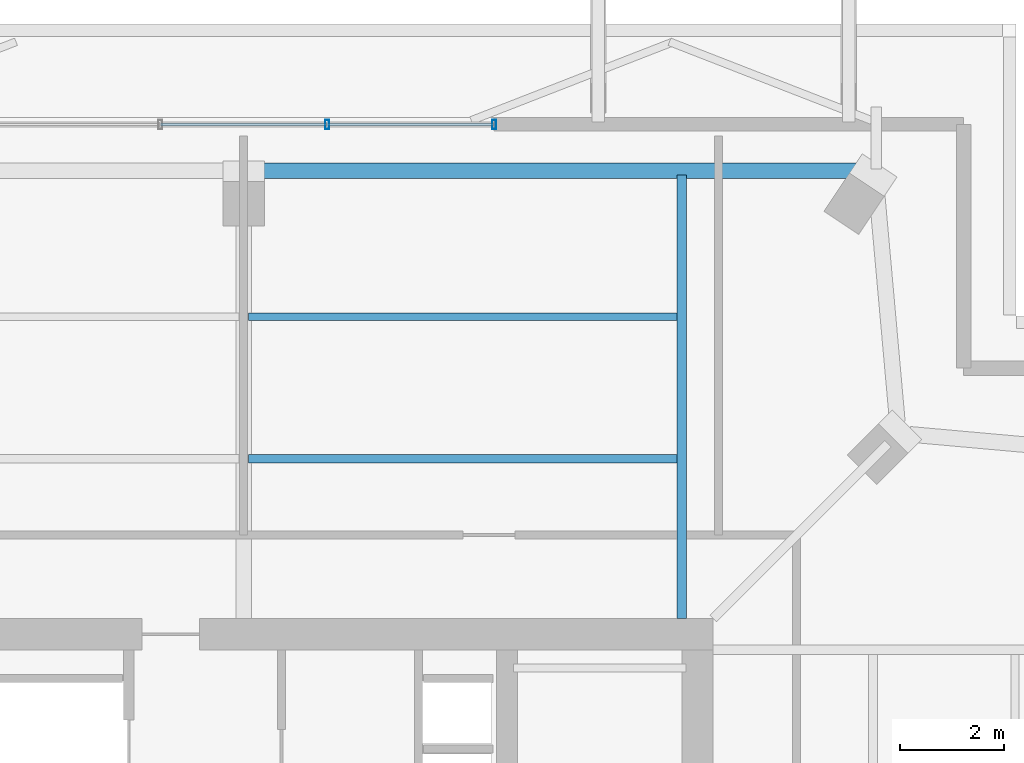
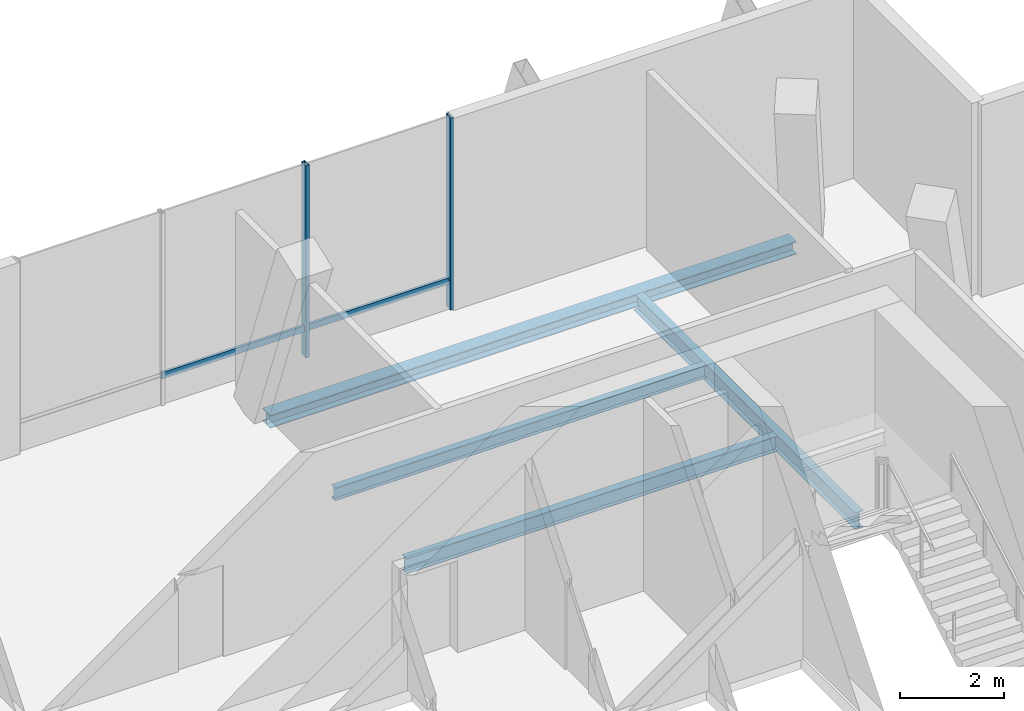
# One storey, part 14 of 18: 4 beams, 4 members, 1 element without a shape of its own.
"""IFC4 building model written with IfcOpenShell, lengths in metres."""

import ifcopenshell
import ifcopenshell.guid

model = None  # the IFC model being written
_history = None  # IfcOwnerHistory: only IFC2X3 demands one
_inside = {}  # id of a spatial element -> (the spatial element, [elements in it])
_under = {}  # id of a project, library or spatial element -> (it, [spatial elements below it])
_declared = {}  # id of a project -> (the project, [libraries it declares])
_typed = {}  # id of a type object -> (the type object, [elements of that type])
_made_of = {}  # id of a material, layer set ... -> (it, [elements and type objects made of it])


def new_model(schema):
    """Start an empty IFC model of exactly this schema.

    Asked for "IFC4X3", IfcOpenShell would pick the latest addendum, in which some entities
    have other attributes; the version numbers below select the first issue.
    IFC2X3 requires an IfcOwnerHistory on every rooted entity: one is made here for all.
    """
    global model, _history
    if schema == "IFC4X3":
        model = ifcopenshell.file(schema_version=(4, 3, 0, 0))
    else:
        model = ifcopenshell.file(schema=schema)
    _inside.clear()
    _under.clear()
    _declared.clear()
    _typed.clear()
    _made_of.clear()
    _history = None
    if model.schema == "IFC2X3":
        org = make("IfcOrganization", Name="unknown")
        user = make(
            "IfcPersonAndOrganization",
            ThePerson=make("IfcPerson", FamilyName="unknown"),
            TheOrganization=org,
        )
        app = make(
            "IfcApplication",
            ApplicationDeveloper=org,
            Version="unknown",
            ApplicationFullName="unknown",
            ApplicationIdentifier="unknown",
        )
        _history = make(
            "IfcOwnerHistory",
            OwningUser=user,
            OwningApplication=app,
            ChangeAction="ADDED",
            CreationDate=0,
        )
    return model


def make(cls, **values):
    """One entity of the class cls with the attributes given. An attribute that is None is left unset."""
    return model.create_entity(
        cls, **{name: value for name, value in values.items() if value is not None}
    )


def rooted(cls, **values):
    """An entity with a GlobalId (a new one), such as an element, a storey or a relation."""
    return make(cls, GlobalId=ifcopenshell.guid.new(), OwnerHistory=_history, **values)


def si_unit(unit_type, name, prefix=None):
    """IfcSIUnit, for example si_unit("LENGTHUNIT", "METRE", prefix="MILLI")."""
    return make("IfcSIUnit", UnitType=unit_type, Prefix=prefix, Name=name)


def assignment(units):
    """IfcUnitAssignment: the units of a project."""
    return None if units is None else make("IfcUnitAssignment", Units=units)


def point(xyz):
    """IfcCartesianPoint."""
    return None if xyz is None else make("IfcCartesianPoint", Coordinates=xyz)


def direction(xyz):
    """IfcDirection."""
    return None if xyz is None else make("IfcDirection", DirectionRatios=xyz)


def frame(location, z_axis=None, x_axis=None):
    """IfcAxis2Placement3D, a coordinate frame: its origin and axes. An axis left out is left unset."""
    return make(
        "IfcAxis2Placement3D",
        Location=point(location),
        Axis=direction(z_axis),
        RefDirection=direction(x_axis),
    )


def frame_2d(location, x_axis=None):
    """IfcAxis2Placement2D, a coordinate frame in the plane: its origin and x axis."""
    return make(
        "IfcAxis2Placement2D", Location=point(location), RefDirection=direction(x_axis)
    )


def origin():
    """The frame at (0, 0, 0) with its axes left unset."""
    return frame((0.0, 0.0, 0.0))


def origin_2d():
    """The frame at (0, 0) in the plane with its x axis left unset."""
    return frame_2d((0.0, 0.0))


def place(relative_to, where):
    """IfcLocalPlacement: puts the frame where relative to a parent placement (None: the world)."""
    return make(
        "IfcLocalPlacement", PlacementRelTo=relative_to, RelativePlacement=where
    )


def context(
    kind, dimensions, precision=None, world=None, true_north=None, identifier=None
):
    """IfcGeometricRepresentationContext, for example the 3D "Model" context."""
    return make(
        "IfcGeometricRepresentationContext",
        ContextIdentifier=identifier,
        ContextType=kind,
        CoordinateSpaceDimension=dimensions,
        Precision=precision,
        WorldCoordinateSystem=world,
        TrueNorth=true_north,
    )


def subcontext(parent, identifier, kind, view, scale=None):
    """IfcGeometricRepresentationSubContext, for example "Body" below "Model"."""
    return make(
        "IfcGeometricRepresentationSubContext",
        ContextIdentifier=identifier,
        ContextType=kind,
        ParentContext=parent,
        TargetScale=scale,
        TargetView=view,
    )


def project(units=None, contexts=None):
    """IfcProject with its units and contexts."""
    return rooted(
        "IfcProject",
        Name="project",
        RepresentationContexts=contexts,
        UnitsInContext=assignment(units),
    )


def spatial(cls, under=None, at=None, **own):
    """A site, building, storey or space (cls), placed at a placement, below another one or the project."""
    s = rooted(cls, ObjectPlacement=at, **own)
    if under is not None:
        _under.setdefault(under.id(), (under, []))[1].append(s)
    return s


def profile(cls, at=None, kind="AREA", **sizes):
    """A parametric profile (cls). Its sizes go by their IFC names, for example OverallWidth=200.0."""
    return make(cls, ProfileType=kind, Position=at, **sizes)


def hollow_rectangle(**sizes):
    """IfcRectangleHollowProfileDef."""
    return profile("IfcRectangleHollowProfileDef", **sizes)


def i_section(**sizes):
    """IfcIShapeProfileDef."""
    return profile("IfcIShapeProfileDef", **sizes)


def extrude(swept, where, along, depth):
    """IfcExtrudedAreaSolid: the profile swept, set in the frame where, extruded along a direction by depth."""
    return make(
        "IfcExtrudedAreaSolid",
        SweptArea=swept,
        Position=where,
        ExtrudedDirection=direction(along),
        Depth=depth,
    )


def shape(context_of_items, identifier, shape_type, items):
    """IfcShapeRepresentation: the items that make up one representation, for example the "Body"."""
    return make(
        "IfcShapeRepresentation",
        ContextOfItems=context_of_items,
        RepresentationIdentifier=identifier,
        RepresentationType=shape_type,
        Items=items,
    )


def material(Name=None, Category=None):
    """IfcMaterial."""
    return make("IfcMaterial", Name=Name, Category=Category)


def layer(
    of_material, thickness, ventilated=None, Name=None, Category=None, Priority=None
):
    """IfcMaterialLayer: one layer of a wall or slab, of a material (None: an air gap)."""
    return make(
        "IfcMaterialLayer",
        Material=of_material,
        LayerThickness=thickness,
        IsVentilated=ventilated,
        Name=Name,
        Category=Category,
        Priority=Priority,
    )


def layer_set(layers, Name=None):
    """IfcMaterialLayerSet."""
    return make("IfcMaterialLayerSet", MaterialLayers=layers, LayerSetName=Name)


def material_profile(
    of_material, cross_section, Name=None, Category=None, Priority=None
):
    """IfcMaterialProfile: a cross section and its material."""
    return make(
        "IfcMaterialProfile",
        Name=Name,
        Material=of_material,
        Profile=cross_section,
        Priority=Priority,
        Category=Category,
    )


def profile_set(profiles, Name=None, composite=None):
    """IfcMaterialProfileSet."""
    return make(
        "IfcMaterialProfileSet",
        Name=Name,
        MaterialProfiles=profiles,
        CompositeProfile=composite,
    )


def made_of(thing, what):
    """Note that an element or type object is made of a material, layer set ...; save() writes the relation."""
    if what is not None:
        _made_of.setdefault(what.id(), (what, []))[1].append(thing)
    return thing


def type_object(cls, material=None, **own):
    """A type object (cls), such as IfcWallType, which elements share."""
    return made_of(rooted(cls, **own), material)


def element(
    cls,
    number,
    at=None,
    inside=None,
    cuts=None,
    type_object=None,
    material=None,
    context=None,
    identifier="Body",
    shape_type=None,
    held_by="IfcProductDefinitionShape",
    body=None,
    shapes=None,
    **own,
):
    """One element of the class cls, such as IfcWall. Its Tag is "e" and its number.

    at: its placement. inside: the storey or other place that contains it. cuts: it is an
    opening in that element (IfcRelVoidsElement). A single representation is given by context,
    identifier, shape_type and body (its items); several are given by shapes. held_by: the class
    of the entity that holds the representations. save() writes the other relations.
    """
    e = rooted(cls, Tag="e%d" % number, ObjectPlacement=at, **own)
    if body is not None:
        shapes = [shape(context, identifier, shape_type, body)]
    if shapes is not None:
        e.Representation = make(held_by, Representations=shapes)
    if inside is not None:
        _inside.setdefault(inside.id(), (inside, []))[1].append(e)
    if cuts is not None:
        rooted(
            "IfcRelVoidsElement", RelatingBuildingElement=cuts, RelatedOpeningElement=e
        )
    if type_object is not None:
        _typed.setdefault(type_object.id(), (type_object, []))[1].append(e)
    return made_of(e, material)


def aggregate(whole, parts):
    """IfcRelAggregates: a whole, such as a stair, and the parts it consists of."""
    return rooted("IfcRelAggregates", RelatingObject=whole, RelatedObjects=parts)


def save(model, path):
    """Write the relations noted so far, then the file.

    IfcRelAggregates (storeys below a building ...), IfcRelContainedInSpatialStructure (elements
    in a storey), IfcRelDefinesByType, IfcRelAssociatesMaterial and IfcRelDeclares: one each for
    every whole, place, type object, material and project.
    """
    for whole, parts in _under.values():
        aggregate(whole, parts)
    for where, things in _inside.values():
        rooted(
            "IfcRelContainedInSpatialStructure",
            RelatedElements=things,
            RelatingStructure=where,
        )
    for kind, things in _typed.values():
        rooted("IfcRelDefinesByType", RelatedObjects=things, RelatingType=kind)
    for what, things in _made_of.values():
        rooted("IfcRelAssociatesMaterial", RelatedObjects=things, RelatingMaterial=what)
    for by, libraries in _declared.values():
        rooted("IfcRelDeclares", RelatingContext=by, RelatedDefinitions=libraries)
    model.write(path)


model = new_model("IFC4")

# Units and contexts
model_context = context("Model", 3, precision=1e-05, world=origin(), true_north=direction((0.0, 1.0)))
body_context = subcontext(model_context, "Body", "Model", "MODEL_VIEW")
ifc_project = project(units=[si_unit("LENGTHUNIT", "METRE"), si_unit("AREAUNIT", "SQUARE_METRE"), si_unit("VOLUMEUNIT", "CUBIC_METRE"), si_unit("PLANEANGLEUNIT", "RADIAN"), si_unit("MASSUNIT", "GRAM", prefix="KILO")], contexts=[model_context])

# Site, building, storey
site_placement = place(None, origin())
site = spatial("IfcSite", under=ifc_project, at=site_placement, CompositionType="ELEMENT")
building_placement = place(site_placement, origin())
building = spatial("IfcBuilding", under=site, at=building_placement, Name="Belovzor Exchange Tower", CompositionType="ELEMENT")
storey_placement = place(building_placement, frame((0.0, 0.0, 369.0)))
storey = spatial("IfcBuildingStorey", under=building, at=storey_placement, Name="L92", CompositionType="ELEMENT", Elevation=369.0)

# Beams
ifc_material_1 = material(Name="Steel S355", Category="steel")
ifc_material_profile_1 = material_profile(ifc_material_1, i_section(OverallWidth=0.300048828125, OverallDepth=0.300048828125, WebThickness=0.010986328125, FlangeThickness=0.01904296875, at=origin_2d()))
ifc_profile_set_1 = profile_set([ifc_material_profile_1], Name="Steel S355")
beam_type_1 = type_object("IfcBeamType", Name="Crown Plant Primary Beam HEB 300", PredefinedType="BEAM", material=ifc_profile_set_1)
beam_1_placement = place(storey_placement, frame((40.679931640625, 46.3798828125, -0.449951171875), z_axis=(-1.0, 0.0, 0.0), x_axis=(0.0, -1.0, 0.0)))
element("IfcBeam", 1, at=beam_1_placement, inside=storey, type_object=beam_type_1, Name="FG-CR Crown Plant Primary Beam HEB 300", PredefinedType="BEAM", context=body_context, shape_type="SweptSolid", body=[
    extrude(i_section(OverallWidth=0.300048828125, OverallDepth=0.300048828125, WebThickness=0.010986328125, FlangeThickness=0.01904296875, at=origin_2d()), origin(), (0.0, 0.0, 1.0), 11.659912109375),
])
ifc_material_2 = material(Name="Steel S355", Category="steel")
ifc_material_profile_2 = material_profile(ifc_material_2, i_section(OverallWidth=0.169921875, OverallDepth=0.360107421875, WebThickness=0.008056640625, FlangeThickness=0.0126953125, at=origin_2d()))
ifc_profile_set_2 = profile_set([ifc_material_profile_2], Name="Steel S355")
beam_type_2 = type_object("IfcBeamType", Name="Secondary Infill Floor Joist IPE 360", PredefinedType="BEAM", material=ifc_profile_set_2)
beam_2_placement = place(storey_placement, frame((28.889892578125, 40.862060546875, -0.47998046875), z_axis=(1.0, 0.0, 0.0), x_axis=(0.0, 1.0, 0.0)))
element("IfcBeam", 2, at=beam_2_placement, inside=storey, type_object=beam_type_2, Name="FJ-360 Secondary Infill Floor Joist IPE 360", PredefinedType="BEAM", context=body_context, shape_type="SweptSolid", body=[
    extrude(i_section(OverallWidth=0.169921875, OverallDepth=0.360107421875, WebThickness=0.008056640625, FlangeThickness=0.0126953125, at=origin_2d()), origin(), (0.0, 0.0, 1.0), 8.22021484375),
])
ifc_material_3 = material(Name="Steel S355", Category="steel")
ifc_material_profile_3 = material_profile(ifc_material_3, i_section(OverallWidth=0.14990234375, OverallDepth=0.300048828125, WebThickness=0.007080078125, FlangeThickness=0.0107421875, at=origin_2d()))
ifc_profile_set_3 = profile_set([ifc_material_profile_3], Name="Steel S355")
beam_type_3 = type_object("IfcBeamType", Name="Secondary Trim Floor Joist IPE 300", PredefinedType="BEAM", material=ifc_profile_set_3)
beam_3_placement = place(storey_placement, frame((28.889892578125, 43.5830078125, -0.449951171875), z_axis=(1.0, 0.0, 0.0), x_axis=(0.0, 1.0, 0.0)))
element("IfcBeam", 3, at=beam_3_placement, inside=storey, type_object=beam_type_3, Name="FJ-300 Secondary Trim Floor Joist IPE 300", PredefinedType="BEAM", context=body_context, shape_type="SweptSolid", body=[
    extrude(i_section(OverallWidth=0.14990234375, OverallDepth=0.300048828125, WebThickness=0.007080078125, FlangeThickness=0.0107421875, at=origin_2d()), origin(), (0.0, 0.0, 1.0), 8.22021484375),
])

# Curtain wall, members
ifc_material_4 = material(Name="Anodised Aluminium Framing", Category="aluminium")
ifc_layer = layer(ifc_material_4, 0.169921875)
ifc_layer_set = layer_set([ifc_layer], Name="Anodised Aluminium Framing")
curtain_wall_type = type_object("IfcCurtainWallType", Name="Stepped Crown Faceted Lantern Curtain Wall", PredefinedType="NOTDEFINED", material=ifc_layer_set)
curtain_wall_placement = place(storey_placement, origin())
curtain_wall = element("IfcCurtainWall", 4, at=curtain_wall_placement, inside=storey, type_object=curtain_wall_type, Name="CW6 Stepped Crown Faceted Lantern Curtain Wall L92", PredefinedType="NOTDEFINED")
ifc_material_5 = material(Name="Steel S355", Category="steel")
ifc_material_profile_4 = material_profile(ifc_material_5, hollow_rectangle(XDim=0.074951171875, YDim=0.179931640625, WallThickness=0.0048828125, at=origin_2d()))
ifc_profile_set_4 = profile_set([ifc_material_profile_4], Name="Steel S355")
member_type_1 = type_object("IfcMemberType", Name="Thermally Broken Curtain Wall Mullion 180x75", PredefinedType="MULLION", material=ifc_profile_set_4)
member_1_placement = place(storey_placement, frame((30.39990234375, 47.27001953125, 0.0), z_axis=(0.0, 0.0, 1.0), x_axis=(1.0, 0.0, 0.0)))
member_1 = element("IfcMember", 5, at=member_1_placement, type_object=member_type_1, Name="CW-M180 Curtain Wall Mullion 3", PredefinedType="MULLION", context=body_context, shape_type="SweptSolid", body=[
    extrude(hollow_rectangle(XDim=0.074951171875, YDim=0.179931640625, WallThickness=0.0048828125, at=origin_2d()), origin(), (0.0, 0.0, 1.0), 4.5),
])
member_2_placement = place(storey_placement, frame((33.60009765625, 47.27001953125, 0.0), z_axis=(0.0, 0.0, 1.0), x_axis=(1.0, 0.0, 0.0)))
member_2 = element("IfcMember", 6, at=member_2_placement, type_object=member_type_1, Name="CW-M180 Curtain Wall Mullion 4", PredefinedType="MULLION", context=body_context, shape_type="SweptSolid", body=[
    extrude(hollow_rectangle(XDim=0.074951171875, YDim=0.179931640625, WallThickness=0.0048828125, at=origin_2d()), origin(), (0.0, 0.0, 1.0), 4.5),
])
ifc_material_6 = material(Name="Steel S355", Category="steel")
ifc_material_profile_5 = material_profile(ifc_material_6, hollow_rectangle(XDim=0.06005859375, YDim=0.14990234375, WallThickness=0.00390625, at=origin_2d()))
ifc_profile_set_5 = profile_set([ifc_material_profile_5], Name="Steel S355")
member_type_2 = type_object("IfcMemberType", Name="Thermally Broken Curtain Wall Transom 150x60", PredefinedType="USERDEFINED", material=ifc_profile_set_5)
member_3_placement = place(storey_placement, frame((27.2080078125, 47.27001953125, 0.64990234375), z_axis=(1.0, 0.0, 0.0), x_axis=(0.0, 1.0, 0.0)))
member_3 = element("IfcMember", 7, at=member_3_placement, type_object=member_type_2, Name="CW-T150 Curtain Wall Transom 2", ObjectType="TRANSOM", PredefinedType="USERDEFINED", context=body_context, shape_type="SweptSolid", body=[
    extrude(hollow_rectangle(XDim=0.06005859375, YDim=0.14990234375, WallThickness=0.00390625, at=origin_2d()), origin(), (0.0, 0.0, 1.0), 3.18408203125),
])
member_4_placement = place(storey_placement, frame((30.407958984375, 47.27001953125, 0.64990234375), z_axis=(1.0, 0.0, 0.0), x_axis=(0.0, 1.0, 0.0)))
member_4 = element("IfcMember", 8, at=member_4_placement, type_object=member_type_2, Name="CW-T150 Curtain Wall Transom 3", ObjectType="TRANSOM", PredefinedType="USERDEFINED", context=body_context, shape_type="SweptSolid", body=[
    extrude(hollow_rectangle(XDim=0.06005859375, YDim=0.14990234375, WallThickness=0.00390625, at=origin_2d()), origin(), (0.0, 0.0, 1.0), 3.18408203125),
])
aggregate(curtain_wall, [member_1, member_2, member_3, member_4])

# Beam
ifc_material_7 = material(Name="Steel S355", Category="steel")
ifc_material_profile_6 = material_profile(ifc_material_7, i_section(OverallWidth=0.179931640625, OverallDepth=0.39990234375, WebThickness=0.008544921875, FlangeThickness=0.013427734375, at=origin_2d()))
ifc_profile_set_6 = profile_set([ifc_material_profile_6], Name="Steel S355")
beam_type_4 = type_object("IfcBeamType", Name="Zone 5-6 Radial Composite Floor Beam IPE 400", PredefinedType="BEAM", material=ifc_profile_set_6)
beam_4_placement = place(storey_placement, frame((37.199951171875, 37.800048828125, -0.5), z_axis=(0.0, 1.0, 0.0), x_axis=(-1.0, 0.0, 0.0)))
element("IfcBeam", 9, at=beam_4_placement, inside=storey, type_object=beam_type_4, Name="FB-400 Zone 5-6 Radial Composite Floor Beam IPE 400", PredefinedType="BEAM", context=body_context, shape_type="SweptSolid", body=[
    extrude(i_section(OverallWidth=0.179931640625, OverallDepth=0.39990234375, WebThickness=0.008544921875, FlangeThickness=0.013427734375, at=origin_2d()), origin(), (0.0, 0.0, 1.0), 8.5048828125),
])

save(model, "model.ifc")
